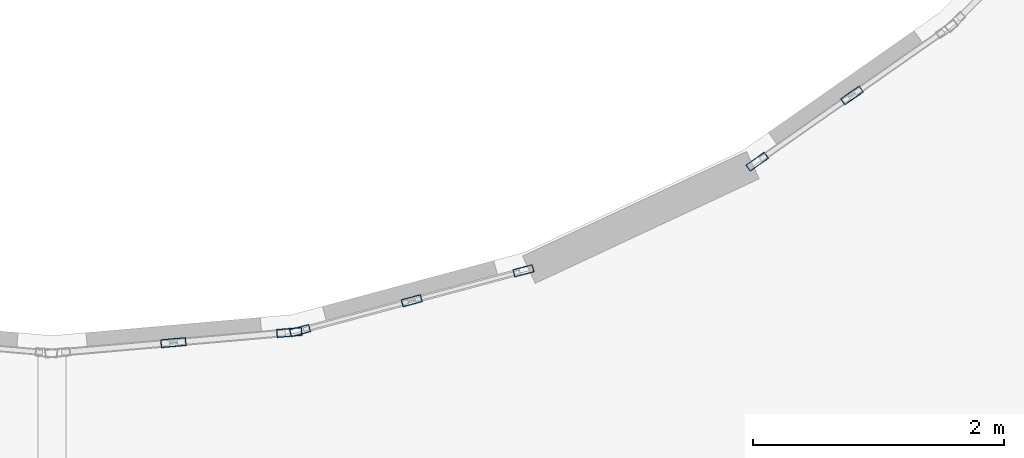
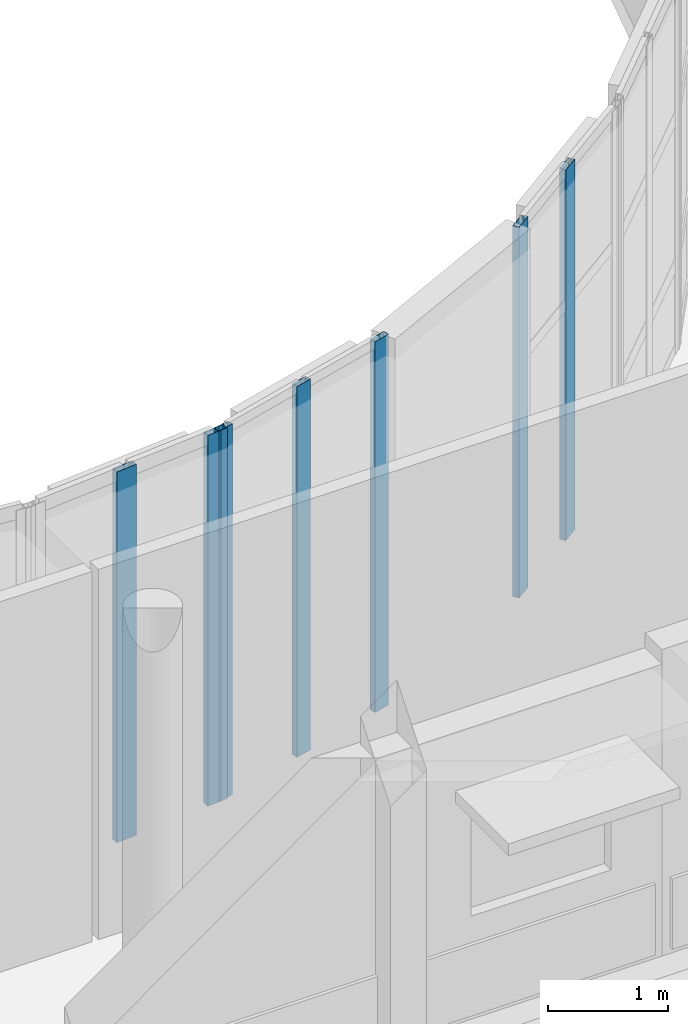
# One storey, part 28 of 105: 7 members, 3 elements without a shape of their own.
"""IFC4 building model written with IfcOpenShell, lengths in metres."""

from ifc_helpers import new_model, si_unit, direction, frame, origin, origin_2d, place, context, subcontext, project, spatial, hollow_rectangle, extrude, material, layer, layer_set, material_profile, profile_set, type_object, element, aggregate, save


model = new_model("IFC4")

# Units and contexts
model_context = context("Model", 3, precision=1e-05, world=origin(), true_north=direction((0.0, 1.0)))
body_context = subcontext(model_context, "Body", "Model", "MODEL_VIEW")
ifc_project = project(units=[si_unit("LENGTHUNIT", "METRE"), si_unit("AREAUNIT", "SQUARE_METRE"), si_unit("VOLUMEUNIT", "CUBIC_METRE"), si_unit("PLANEANGLEUNIT", "RADIAN"), si_unit("MASSUNIT", "GRAM", prefix="KILO")], contexts=[model_context])

# Site, building, storey
site_placement = place(None, origin())
site = spatial("IfcSite", under=ifc_project, at=site_placement, CompositionType="ELEMENT")
building_placement = place(site_placement, origin())
building = spatial("IfcBuilding", under=site, at=building_placement, Name="Kelanivale Promenade Academy", CompositionType="ELEMENT")
storey_placement = place(building_placement, frame((0.0, 0.0, 4.199951171875)))
storey = spatial("IfcBuildingStorey", under=building, at=storey_placement, Name="L01", CompositionType="ELEMENT", Elevation=4.199951171875)

# Curtain wall, members
ifc_material_1 = material(Name="Bronze anodised aluminium and solar-control low-E glass", Category="aluminium")
ifc_layer_1 = layer(ifc_material_1, 0.169921875)
ifc_layer_set_1 = layer_set([ifc_layer_1], Name="Bronze anodised aluminium and solar-control low-E glass")
curtain_wall_type_1 = type_object("IfcCurtainWallType", Name="CW-01 Curtain Wall 1350mm Module", PredefinedType="USERDEFINED", material=ifc_layer_set_1)
curtain_wall_1_placement = place(storey_placement, origin())
curtain_wall_1 = element("IfcCurtainWall", 1, at=curtain_wall_1_placement, inside=storey, type_object=curtain_wall_type_1, Name="L01 courtyard curtain wall CW-01", ObjectType="UNITISED GLAZING", PredefinedType="USERDEFINED")
ifc_material_2 = material(Name="Bronze anodised aluminium EN AW-6063 T6", Category="aluminium")
ifc_material_profile_1 = material_profile(ifc_material_2, hollow_rectangle(XDim=0.06005859375, YDim=0.159912109375, WallThickness=0.00390625, at=origin_2d()), Name="ALU 60x160x4.0")
ifc_profile_set_1 = profile_set([ifc_material_profile_1], Name="Bronze anodised aluminium EN AW-6063 T6")
member_type_1 = type_object("IfcMemberType", Name="CWM-01 ALU 60x160x4.0", PredefinedType="MULLION", material=ifc_profile_set_1)
member_1_placement = place(storey_placement, frame((65.375, 45.83984375, 0.0), z_axis=(0.0, 0.0, 1.0), x_axis=(-0.258578458902, 0.965990259056, 0.0)))
member_1 = element("IfcMember", 2, at=member_1_placement, type_object=member_type_1, Name="CW-01 mullion 1", PredefinedType="MULLION", context=body_context, shape_type="SweptSolid", body=[
    extrude(hollow_rectangle(XDim=0.06005859375, YDim=0.159912109375, WallThickness=0.00390625, at=origin_2d()), origin(), (0.0, 0.0, 1.0), 3.780029296875),
])
member_2_placement = place(storey_placement, frame((66.264892578125, 46.077880859375, 0.0), z_axis=(0.0, 0.0, 1.0), x_axis=(-0.258578458902, 0.965990259056, 0.0)))
member_2 = element("IfcMember", 3, at=member_2_placement, type_object=member_type_1, Name="CW-01 mullion 2", PredefinedType="MULLION", context=body_context, shape_type="SweptSolid", body=[
    extrude(hollow_rectangle(XDim=0.06005859375, YDim=0.159912109375, WallThickness=0.00390625, at=origin_2d()), origin(), (0.0, 0.0, 1.0), 3.780029296875),
])
member_3_placement = place(storey_placement, frame((67.155029296875, 46.316162109375, 0.0), z_axis=(0.0, 0.0, 1.0), x_axis=(-0.258578458902, 0.965990259056, 0.0)))
member_3 = element("IfcMember", 4, at=member_3_placement, type_object=member_type_1, Name="CW-01 mullion 3", PredefinedType="MULLION", context=body_context, shape_type="SweptSolid", body=[
    extrude(hollow_rectangle(XDim=0.06005859375, YDim=0.159912109375, WallThickness=0.00390625, at=origin_2d()), origin(), (0.0, 0.0, 1.0), 3.780029296875),
])
aggregate(curtain_wall_1, [member_1, member_2, member_3])

ifc_layer_2 = layer(ifc_material_1, 0.179931640625)
ifc_layer_set_2 = layer_set([ifc_layer_2], Name="Bronze anodised aluminium and solar-control low-E glass")
curtain_wall_type_2 = type_object("IfcCurtainWallType", Name="CW-02 Curtain Wall 1500mm Module", PredefinedType="USERDEFINED", material=ifc_layer_set_2)
curtain_wall_2_placement = place(storey_placement, origin())
curtain_wall_2 = element("IfcCurtainWall", 5, at=curtain_wall_2_placement, inside=storey, type_object=curtain_wall_type_2, Name="L01 courtyard curtain wall CW-02", ObjectType="UNITISED GLAZING", PredefinedType="USERDEFINED")
ifc_material_profile_2 = material_profile(ifc_material_2, hollow_rectangle(XDim=0.06005859375, YDim=0.179931640625, WallThickness=0.00390625, at=origin_2d()), Name="ALU 60x180x4.0")
ifc_profile_set_2 = profile_set([ifc_material_profile_2], Name="Bronze anodised aluminium EN AW-6063 T6")
member_type_2 = type_object("IfcMemberType", Name="CWM-02 ALU 60x180x4.0", PredefinedType="MULLION", material=ifc_profile_set_2)
member_4_placement = place(storey_placement, frame((69.0166015625, 47.185302734375, 0.0), z_axis=(0.0, 0.0, 1.0), x_axis=(-0.573356527561, 0.819305982099, 0.0)))
member_4 = element("IfcMember", 6, at=member_4_placement, type_object=member_type_2, Name="CW-02 mullion 1", PredefinedType="MULLION", context=body_context, shape_type="SweptSolid", body=[
    extrude(hollow_rectangle(XDim=0.06005859375, YDim=0.179931640625, WallThickness=0.00390625, at=origin_2d()), origin(), (0.0, 0.0, 1.0), 3.780029296875),
])
member_5_placement = place(storey_placement, frame((69.771484375, 47.71337890625, 0.0), z_axis=(0.0, 0.0, 1.0), x_axis=(-0.573356527561, 0.819305982099, 0.0)))
member_5 = element("IfcMember", 7, at=member_5_placement, type_object=member_type_2, Name="CW-02 mullion 2", PredefinedType="MULLION", context=body_context, shape_type="SweptSolid", body=[
    extrude(hollow_rectangle(XDim=0.06005859375, YDim=0.179931640625, WallThickness=0.00390625, at=origin_2d()), origin(), (0.0, 0.0, 1.0), 3.780029296875),
])
aggregate(curtain_wall_2, [member_4, member_5])

ifc_layer_3 = layer(ifc_material_1, 0.159912109375)
ifc_layer_set_3 = layer_set([ifc_layer_3], Name="Bronze anodised aluminium and solar-control low-E glass")
curtain_wall_type_3 = type_object("IfcCurtainWallType", Name="CW-24 Curtain Wall 1200mm Module", PredefinedType="USERDEFINED", material=ifc_layer_set_3)
curtain_wall_3_placement = place(storey_placement, origin())
curtain_wall_3 = element("IfcCurtainWall", 8, at=curtain_wall_3_placement, inside=storey, type_object=curtain_wall_type_3, Name="L01 courtyard curtain wall CW-24", ObjectType="COURTYARD SCREEN GLAZING", PredefinedType="USERDEFINED")
ifc_material_profile_3 = material_profile(ifc_material_2, hollow_rectangle(XDim=0.06494140625, YDim=0.199951171875, WallThickness=0.00439453125, at=origin_2d()), Name="ALU 65x200x4.5")
ifc_profile_set_3 = profile_set([ifc_material_profile_3], Name="Bronze anodised aluminium EN AW-6063 T6")
member_type_3 = type_object("IfcMemberType", Name="CWM-04 ALU 65x200x4.5", PredefinedType="MULLION", material=ifc_profile_set_3)
member_6_placement = place(storey_placement, frame((64.366943359375, 45.744384765625, 0.0), z_axis=(0.0, 0.0, 1.0), x_axis=(-0.087102249164, 0.996199376727, 0.0)))
member_6 = element("IfcMember", 9, at=member_6_placement, type_object=member_type_3, Name="CW-24 mullion 2", PredefinedType="MULLION", context=body_context, shape_type="SweptSolid", body=[
    extrude(hollow_rectangle(XDim=0.06494140625, YDim=0.199951171875, WallThickness=0.00439453125, at=origin_2d()), origin(), (0.0, 0.0, 1.0), 3.780029296875),
])
member_7_placement = place(storey_placement, frame((65.28955078125, 45.8251953125, 0.0), z_axis=(0.0, 0.0, 1.0), x_axis=(-0.087102249164, 0.996199376727, 0.0)))
member_7 = element("IfcMember", 10, at=member_7_placement, type_object=member_type_3, Name="CW-24 mullion 3", PredefinedType="MULLION", context=body_context, shape_type="SweptSolid", body=[
    extrude(hollow_rectangle(XDim=0.06494140625, YDim=0.199951171875, WallThickness=0.00439453125, at=origin_2d()), origin(), (0.0, 0.0, 1.0), 3.780029296875),
])
aggregate(curtain_wall_3, [member_6, member_7])

save(model, "model.ifc")
